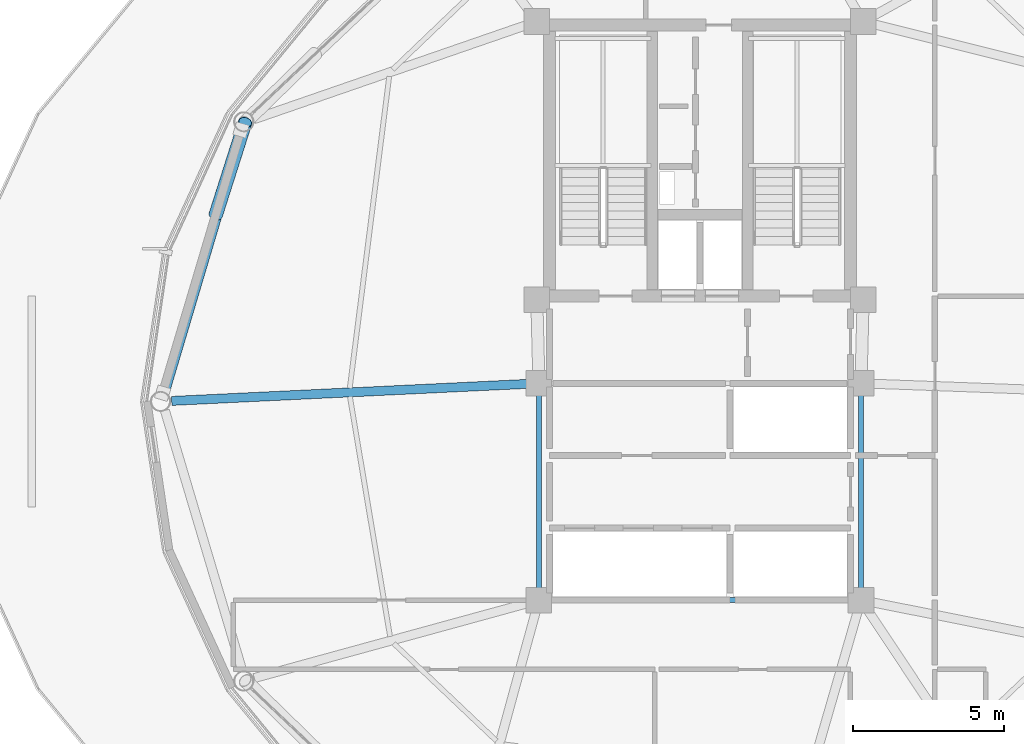
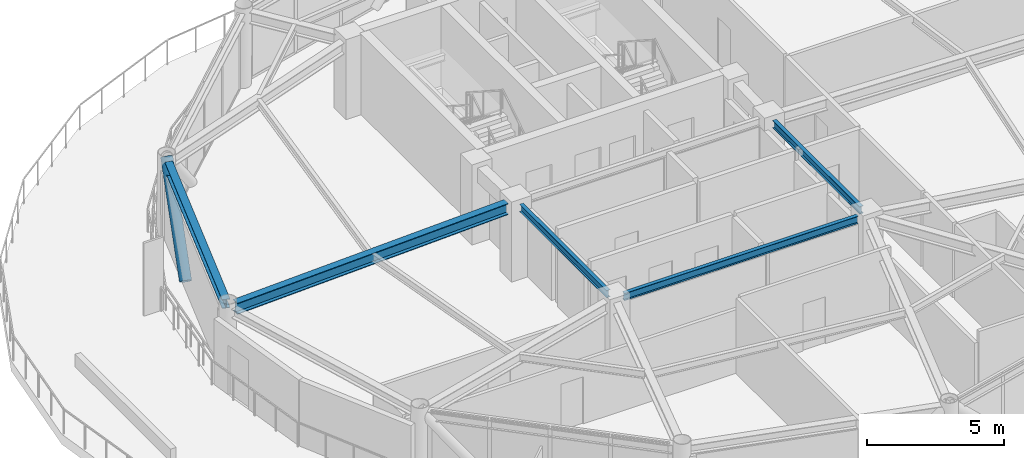
# One storey, part 5 of 25: 5 beams, 1 member.
"""IFC4 building model written with IfcOpenShell, lengths in metres."""

from ifc_helpers import new_model, si_unit, direction, frame, origin, origin_2d, place, context, subcontext, project, spatial, hollow_circle, i_section, extrude, material, material_profile, profile_set, type_object, element, save


model = new_model("IFC4")

# Units and contexts
model_context = context("Model", 3, precision=1e-05, world=origin(), true_north=direction((0.0, 1.0)))
body_context = subcontext(model_context, "Body", "Model", "MODEL_VIEW")
ifc_project = project(units=[si_unit("LENGTHUNIT", "METRE"), si_unit("AREAUNIT", "SQUARE_METRE"), si_unit("VOLUMEUNIT", "CUBIC_METRE"), si_unit("PLANEANGLEUNIT", "RADIAN"), si_unit("MASSUNIT", "GRAM", prefix="KILO")], contexts=[model_context])

# Site, building, storey
site_placement = place(None, origin())
site = spatial("IfcSite", under=ifc_project, at=site_placement, CompositionType="ELEMENT")
building_placement = place(site_placement, origin())
building = spatial("IfcBuilding", under=site, at=building_placement, Name="Varnakorn Sky Granary", CompositionType="ELEMENT")
storey_placement = place(building_placement, frame((0.0, 0.0, 178.800048828125)))
storey = spatial("IfcBuildingStorey", under=building, at=storey_placement, Name="L44", CompositionType="ELEMENT", Elevation=178.800048828125)

# Beams
ifc_material_1 = material(Name="Steel S355JR", Category="steel")
ifc_material_profile_1 = material_profile(ifc_material_1, i_section(OverallWidth=0.300048828125, OverallDepth=0.5, WebThickness=0.014404296875, FlangeThickness=0.028076171875, at=origin_2d()), Name="HE 500 B")
ifc_profile_set_1 = profile_set([ifc_material_profile_1], Name="Steel S355JR")
beam_type_1 = type_object("IfcBeamType", Name="BM-RAD-Z4", PredefinedType="BEAM", material=ifc_profile_set_1)
beam_1_placement = place(storey_placement, frame((-2.75439453125, 0.58056640625, 3.10986328125), z_axis=(-0.998853121149, -0.047879456672, 0.0), x_axis=(0.047879456672, -0.998853121149, 0.0)))
element("IfcBeam", 1, at=beam_1_placement, inside=storey, type_object=beam_type_1, Name="Radial Floor Girder RG07 L44", PredefinedType="BEAM", context=body_context, shape_type="SweptSolid", body=[
    extrude(i_section(OverallWidth=0.300048828125, OverallDepth=0.5, WebThickness=0.014404296875, FlangeThickness=0.028076171875, at=origin_2d()), origin(), (0.0, 0.0, 1.0), 11.809326171875),
])
ifc_material_profile_2 = material_profile(ifc_material_1, i_section(OverallWidth=0.159912109375, OverallDepth=0.330078125, WebThickness=0.007568359375, FlangeThickness=0.011474609375, at=origin_2d()), Name="IPE 330")
ifc_profile_set_2 = profile_set([ifc_material_profile_2], Name="Steel S355JR")
beam_type_2 = type_object("IfcBeamType", Name="BM-SEC-Z4", PredefinedType="BEAM", material=ifc_profile_set_2)
for number, where, z_axis, x_axis, name in (
    (2, (-2.35009765625, 0.195068359375, 3.195068359375), (0.0, -1.0, 0.0), (1.0, 0.0, 0.0), "Core Spine Framing Beam 3 L44"),
    (3, (8.35009765625, 0.195068359375, 3.195068359375), (0.0, -1.0, 0.0), (1.0, 0.0, 0.0), "Core Spine Framing Beam 4 L44"),
):
    element("IfcBeam", number, at=place(storey_placement, frame(where, z_axis=z_axis, x_axis=x_axis)), inside=storey, type_object=beam_type_2, Name=name, PredefinedType="BEAM", context=body_context, shape_type="SweptSolid", body=[
        extrude(i_section(OverallWidth=0.159912109375, OverallDepth=0.330078125, WebThickness=0.007568359375, FlangeThickness=0.011474609375, at=origin_2d()), origin(), (0.0, 0.0, 1.0), 6.39013671875),
    ])
beam_2_placement = place(storey_placement, frame((-1.945068359375, -6.60009765625, 3.195068359375), z_axis=(1.0, 0.0, 0.0), x_axis=(0.0, 1.0, 0.0)))
element("IfcBeam", 4, at=beam_2_placement, inside=storey, type_object=beam_type_2, Name="Core Spine Framing Beam 6 L44", PredefinedType="BEAM", context=body_context, shape_type="SweptSolid", body=[
    extrude(i_section(OverallWidth=0.159912109375, OverallDepth=0.330078125, WebThickness=0.007568359375, FlangeThickness=0.011474609375, at=origin_2d()), origin(), (0.0, 0.0, 1.0), 9.89013671875),
])
ifc_material_profile_3 = material_profile(ifc_material_1, i_section(OverallWidth=0.300048828125, OverallDepth=0.39990234375, WebThickness=0.013427734375, FlangeThickness=0.02392578125, at=origin_2d()), Name="HE 400 B")
ifc_profile_set_3 = profile_set([ifc_material_profile_3], Name="Steel S355JR")
beam_type_3 = type_object("IfcBeamType", Name="BM-SPD-Z4", PredefinedType="SPANDREL", material=ifc_profile_set_3)
beam_3_placement = place(storey_placement, frame((-12.196533203125, 8.9716796875, 3.159912109375), z_axis=(-0.28508622157, -0.958501875987, 0.0), x_axis=(0.958501875987, -0.28508622157, 0.0)))
element("IfcBeam", 5, at=beam_3_placement, inside=storey, type_object=beam_type_3, Name="Perimeter Spandrel Ring Beam RB06 L44", PredefinedType="SPANDREL", context=body_context, shape_type="SweptSolid", body=[
    extrude(i_section(OverallWidth=0.300048828125, OverallDepth=0.39990234375, WebThickness=0.013427734375, FlangeThickness=0.02392578125, at=origin_2d()), origin(), (0.0, 0.0, 1.0), 9.044921875),
])

# Member
ifc_material_2 = material(Name="Steel S460M", Category="steel")
ifc_material_profile_4 = material_profile(ifc_material_2, hollow_circle(Radius=0.228515625, WallThickness=0.01611328125, at=origin_2d()), Name="CHS 457x16")
ifc_profile_set_4 = profile_set([ifc_material_profile_4], Name="Steel S460M")
member_type = type_object("IfcMemberType", Name="MB-DIAG-T3", PredefinedType="BRACE", material=ifc_profile_set_4)
member_placement = place(storey_placement, frame((-13.087158203125, 6.193603515625, 0.0), z_axis=(0.21030527273, 0.660607822582, 0.720672600426), x_axis=(-0.952879143702, 0.303350189545, 0.0)))
element("IfcMember", 6, at=member_placement, inside=storey, type_object=member_type, Name="Perimeter CHS Diagrid Brace DG06 L44", PredefinedType="BRACE", context=body_context, shape_type="SweptSolid", body=[
    extrude(hollow_circle(Radius=0.228515625, WallThickness=0.01611328125, at=origin_2d()), origin(), (0.0, 0.0, 1.0), 4.662109375),
])

save(model, "model.ifc")
